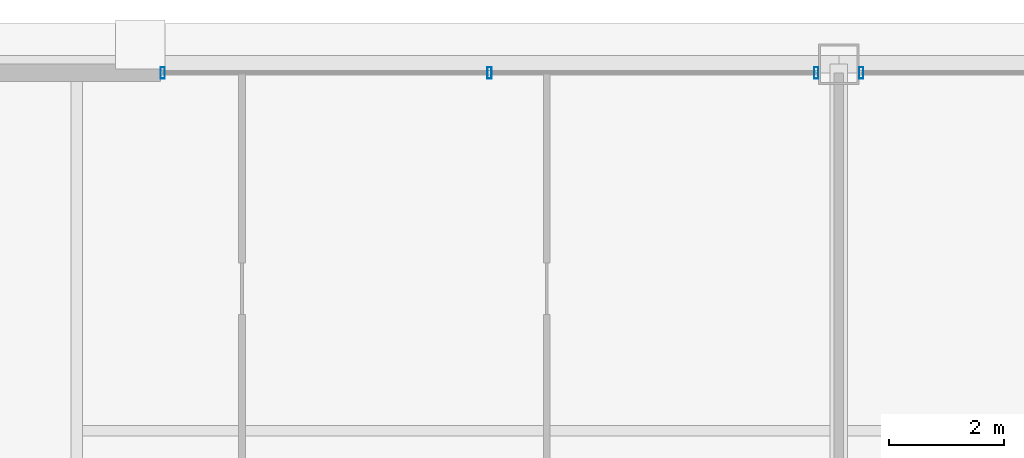
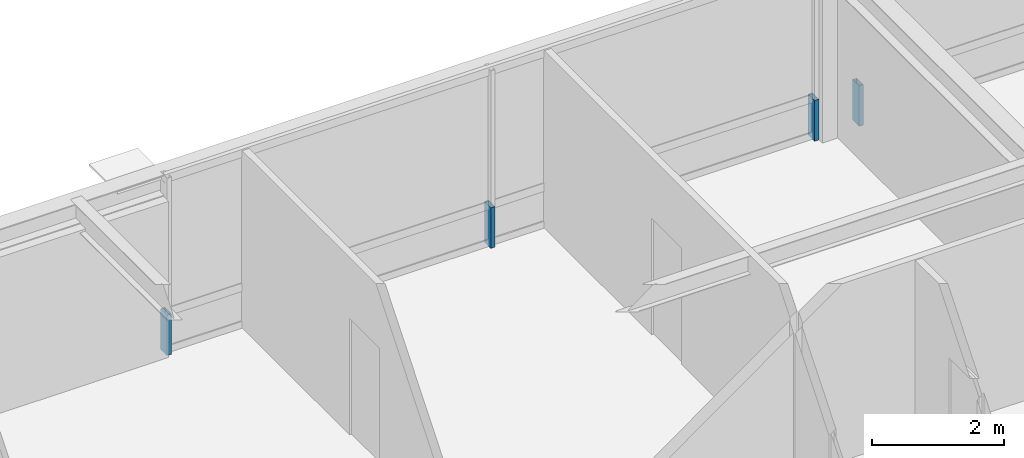
# One storey, part 27 of 35: 4 members, 2 elements without a shape of their own.
"""IFC4 building model written with IfcOpenShell, lengths in metres."""

from ifc_helpers import new_model, si_unit, direction, frame, origin, origin_2d, place, context, subcontext, project, spatial, hollow_rectangle, extrude, source, transform, mapped, material, layer, layer_set, material_profile, profile_set, type_object, element, aggregate, save


model = new_model("IFC4")

# Units and contexts
model_context = context("Model", 3, precision=1e-05, world=origin(), true_north=direction((0.0, 1.0)))
body_context = subcontext(model_context, "Body", "Model", "MODEL_VIEW")
ifc_project = project(units=[si_unit("LENGTHUNIT", "METRE"), si_unit("AREAUNIT", "SQUARE_METRE"), si_unit("VOLUMEUNIT", "CUBIC_METRE"), si_unit("PLANEANGLEUNIT", "RADIAN"), si_unit("MASSUNIT", "GRAM", prefix="KILO"), si_unit("THERMODYNAMICTEMPERATUREUNIT", "KELVIN"), si_unit("POWERUNIT", "WATT")], contexts=[model_context])

# Site, building, storey
site_placement = place(None, origin())
site = spatial("IfcSite", under=ifc_project, at=site_placement, CompositionType="ELEMENT")
building_placement = place(site_placement, origin())
building = spatial("IfcBuilding", under=site, at=building_placement, Name="Yuzanri Waterfront Tower", CompositionType="ELEMENT")
storey_placement = place(building_placement, frame((0.0, 0.0, 311.199951171875)))
storey = spatial("IfcBuildingStorey", under=building, at=storey_placement, Name="L83", CompositionType="ELEMENT", Elevation=311.199951171875)

# Curtain wall, members
ifc_material_1 = material(Name="Anodized Architectural Bronze", Category="metal")
ifc_layer = layer(ifc_material_1, 0.159912109375)
ifc_layer_set = layer_set([ifc_layer], Name="Anodized Architectural Bronze")
curtain_wall_type = type_object("IfcCurtainWallType", Name="Anodized Bronze High-Rise Penthouse High-Wind Unitized Curtain Wall 6900", PredefinedType="NOTDEFINED", material=ifc_layer_set)
curtain_wall_1_placement = place(storey_placement, origin())
curtain_wall_1 = element("IfcCurtainWall", 1, at=curtain_wall_1_placement, inside=storey, type_object=curtain_wall_type, Name="L83 Curtain Wall CW-L83-NL", PredefinedType="NOTDEFINED")
ifc_material_2 = material(Name="Anodized Architectural Bronze", Category="metal")
ifc_material_profile = material_profile(ifc_material_2, hollow_rectangle(XDim=0.074951171875, YDim=0.199951171875, WallThickness=0.00390625, at=origin_2d()), Name="CWM 75x200")
ifc_profile_set = profile_set([ifc_material_profile], Name="Anodized Architectural Bronze")
member_type = type_object("IfcMemberType", Name="Anodized Bronze Primary Curtain-Wall Mullion 75x200", PredefinedType="MULLION", material=ifc_profile_set)
shared_shape = source(origin(), body_context, "Body", "SweptSolid", [
    extrude(hollow_rectangle(XDim=0.074951171875, YDim=0.199951171875, WallThickness=0.00390625, at=origin_2d()), origin(), (0.0, 0.0, 1.0), 0.751953125),
])
member_1_placement = place(storey_placement, frame((25.2900390625, 44.75, 0.0), z_axis=(0.0, 0.0, 1.0), x_axis=(1.0, 0.0, 0.0)))
member_1 = element("IfcMember", 2, at=member_1_placement, type_object=member_type, Name="CW-L83-NL Lower Mullion 00", PredefinedType="MULLION", context=body_context, shape_type="MappedRepresentation", body=[
    mapped(shared_shape, transform((0.0, 0.0, 0.0), scale=1.0)),
])
member_2_placement = place(storey_placement, frame((30.949951171875, 44.75, 0.0), z_axis=(0.0, 0.0, 1.0), x_axis=(1.0, 0.0, 0.0)))
member_2 = element("IfcMember", 3, at=member_2_placement, type_object=member_type, Name="CW-L83-NL Lower Mullion 01", PredefinedType="MULLION", context=body_context, shape_type="MappedRepresentation", body=[
    mapped(shared_shape, transform((0.0, 0.0, 0.0), scale=1.0)),
])
member_3_placement = place(storey_placement, frame((36.610107421875, 44.75, 0.0), z_axis=(0.0, 0.0, 1.0), x_axis=(1.0, 0.0, 0.0)))
member_3 = element("IfcMember", 4, at=member_3_placement, type_object=member_type, Name="CW-L83-NL Lower Mullion 02", PredefinedType="MULLION", context=body_context, shape_type="MappedRepresentation", body=[
    mapped(shared_shape, transform((0.0, 0.0, 0.0), scale=1.0)),
])
aggregate(curtain_wall_1, [member_1, member_2, member_3])

# Curtain wall, member
curtain_wall_2_placement = place(storey_placement, origin())
curtain_wall_2 = element("IfcCurtainWall", 5, at=curtain_wall_2_placement, inside=storey, type_object=curtain_wall_type, Name="L83 Curtain Wall CW-L83-NR", PredefinedType="NOTDEFINED")
member_4_placement = place(storey_placement, frame((37.389892578125, 44.75, 0.0), z_axis=(0.0, 0.0, 1.0), x_axis=(1.0, 0.0, 0.0)))
member_4 = element("IfcMember", 6, at=member_4_placement, type_object=member_type, Name="CW-L83-NR Lower Mullion 00", PredefinedType="MULLION", context=body_context, shape_type="MappedRepresentation", body=[
    mapped(shared_shape, transform((0.0, 0.0, 0.0), scale=1.0)),
])
aggregate(curtain_wall_2, [member_4])

save(model, "model.ifc")
